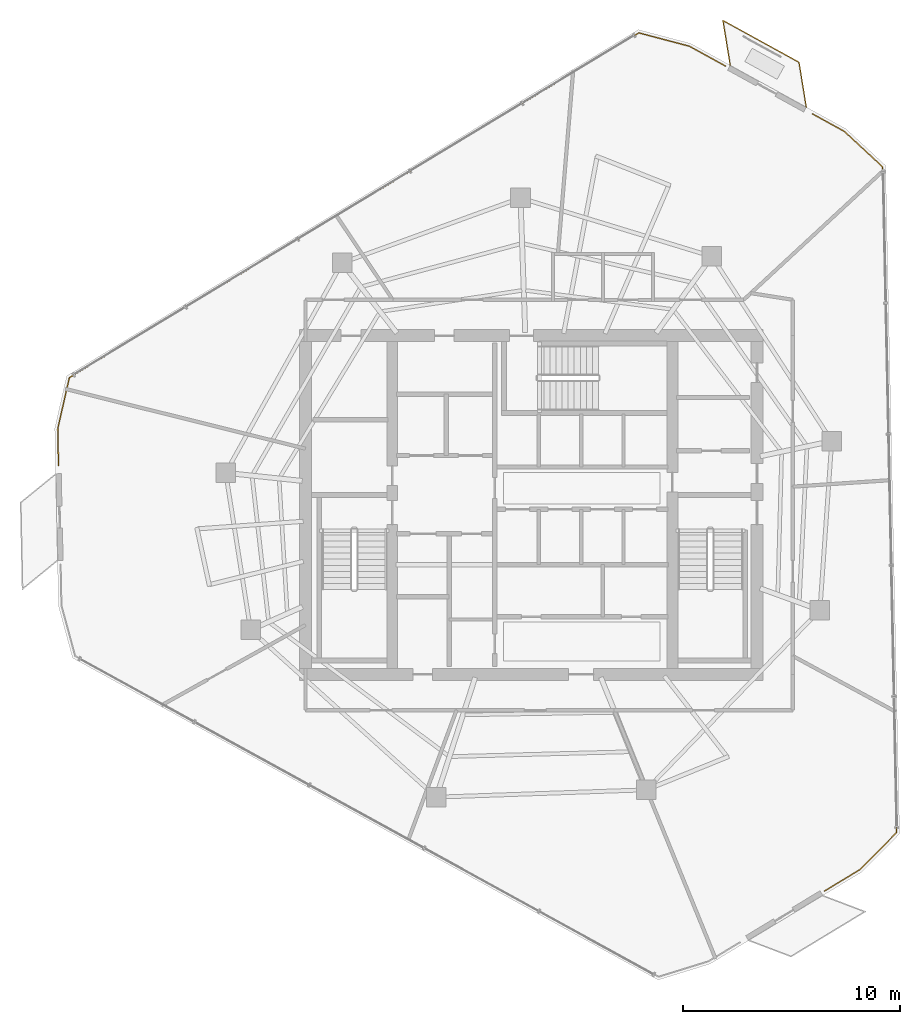
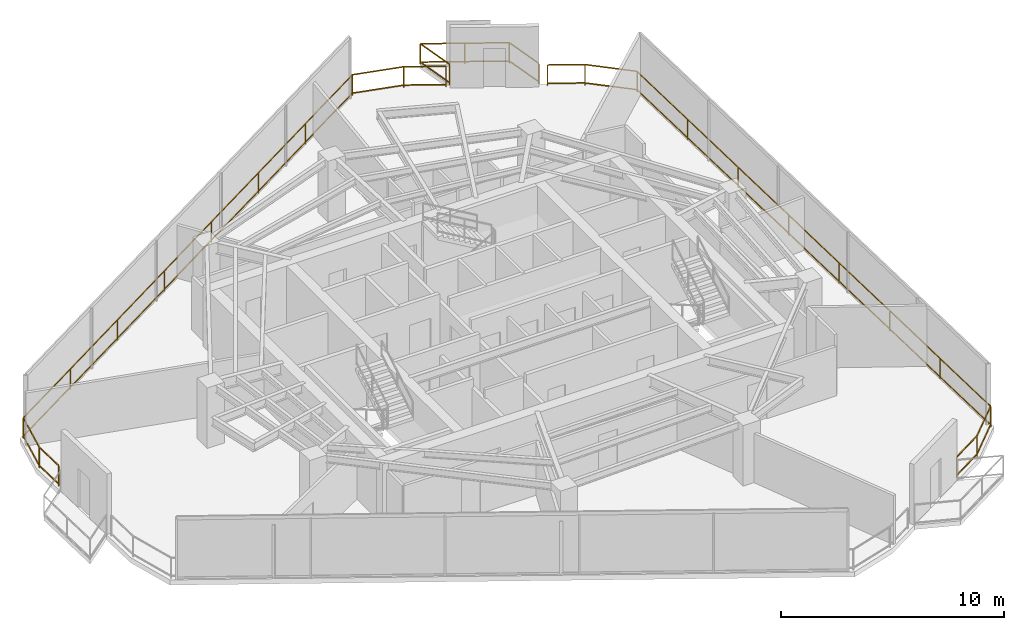
# One storey, part 19 of 19: 4 railings.
"""IFC4 building model written with IfcOpenShell, lengths in metres."""

import ifcopenshell
import ifcopenshell.guid

model = None  # the IFC model being written
_history = None  # IfcOwnerHistory: only IFC2X3 demands one
_inside = {}  # id of a spatial element -> (the spatial element, [elements in it])
_under = {}  # id of a project, library or spatial element -> (it, [spatial elements below it])
_declared = {}  # id of a project -> (the project, [libraries it declares])
_typed = {}  # id of a type object -> (the type object, [elements of that type])
_made_of = {}  # id of a material, layer set ... -> (it, [elements and type objects made of it])


def new_model(schema):
    """Start an empty IFC model of exactly this schema.

    Asked for "IFC4X3", IfcOpenShell would pick the latest addendum, in which some entities
    have other attributes; the version numbers below select the first issue.
    IFC2X3 requires an IfcOwnerHistory on every rooted entity: one is made here for all.
    """
    global model, _history
    if schema == "IFC4X3":
        model = ifcopenshell.file(schema_version=(4, 3, 0, 0))
    else:
        model = ifcopenshell.file(schema=schema)
    _inside.clear()
    _under.clear()
    _declared.clear()
    _typed.clear()
    _made_of.clear()
    _history = None
    if model.schema == "IFC2X3":
        org = make("IfcOrganization", Name="unknown")
        user = make(
            "IfcPersonAndOrganization",
            ThePerson=make("IfcPerson", FamilyName="unknown"),
            TheOrganization=org,
        )
        app = make(
            "IfcApplication",
            ApplicationDeveloper=org,
            Version="unknown",
            ApplicationFullName="unknown",
            ApplicationIdentifier="unknown",
        )
        _history = make(
            "IfcOwnerHistory",
            OwningUser=user,
            OwningApplication=app,
            ChangeAction="ADDED",
            CreationDate=0,
        )
    return model


def make(cls, **values):
    """One entity of the class cls with the attributes given. An attribute that is None is left unset."""
    return model.create_entity(
        cls, **{name: value for name, value in values.items() if value is not None}
    )


def rooted(cls, **values):
    """An entity with a GlobalId (a new one), such as an element, a storey or a relation."""
    return make(cls, GlobalId=ifcopenshell.guid.new(), OwnerHistory=_history, **values)


def si_unit(unit_type, name, prefix=None):
    """IfcSIUnit, for example si_unit("LENGTHUNIT", "METRE", prefix="MILLI")."""
    return make("IfcSIUnit", UnitType=unit_type, Prefix=prefix, Name=name)


def assignment(units):
    """IfcUnitAssignment: the units of a project."""
    return None if units is None else make("IfcUnitAssignment", Units=units)


def point(xyz):
    """IfcCartesianPoint."""
    return None if xyz is None else make("IfcCartesianPoint", Coordinates=xyz)


def direction(xyz):
    """IfcDirection."""
    return None if xyz is None else make("IfcDirection", DirectionRatios=xyz)


def frame(location, z_axis=None, x_axis=None):
    """IfcAxis2Placement3D, a coordinate frame: its origin and axes. An axis left out is left unset."""
    return make(
        "IfcAxis2Placement3D",
        Location=point(location),
        Axis=direction(z_axis),
        RefDirection=direction(x_axis),
    )


def frame_2d(location, x_axis=None):
    """IfcAxis2Placement2D, a coordinate frame in the plane: its origin and x axis."""
    return make(
        "IfcAxis2Placement2D", Location=point(location), RefDirection=direction(x_axis)
    )


def origin():
    """The frame at (0, 0, 0) with its axes left unset."""
    return frame((0.0, 0.0, 0.0))


def origin_2d():
    """The frame at (0, 0) in the plane with its x axis left unset."""
    return frame_2d((0.0, 0.0))


def place(relative_to, where):
    """IfcLocalPlacement: puts the frame where relative to a parent placement (None: the world)."""
    return make(
        "IfcLocalPlacement", PlacementRelTo=relative_to, RelativePlacement=where
    )


def context(
    kind, dimensions, precision=None, world=None, true_north=None, identifier=None
):
    """IfcGeometricRepresentationContext, for example the 3D "Model" context."""
    return make(
        "IfcGeometricRepresentationContext",
        ContextIdentifier=identifier,
        ContextType=kind,
        CoordinateSpaceDimension=dimensions,
        Precision=precision,
        WorldCoordinateSystem=world,
        TrueNorth=true_north,
    )


def subcontext(parent, identifier, kind, view, scale=None):
    """IfcGeometricRepresentationSubContext, for example "Body" below "Model"."""
    return make(
        "IfcGeometricRepresentationSubContext",
        ContextIdentifier=identifier,
        ContextType=kind,
        ParentContext=parent,
        TargetScale=scale,
        TargetView=view,
    )


def project(units=None, contexts=None):
    """IfcProject with its units and contexts."""
    return rooted(
        "IfcProject",
        Name="project",
        RepresentationContexts=contexts,
        UnitsInContext=assignment(units),
    )


def spatial(cls, under=None, at=None, **own):
    """A site, building, storey or space (cls), placed at a placement, below another one or the project."""
    s = rooted(cls, ObjectPlacement=at, **own)
    if under is not None:
        _under.setdefault(under.id(), (under, []))[1].append(s)
    return s


def profile(cls, at=None, kind="AREA", **sizes):
    """A parametric profile (cls). Its sizes go by their IFC names, for example OverallWidth=200.0."""
    return make(cls, ProfileType=kind, Position=at, **sizes)


def rectangle(**sizes):
    """IfcRectangleProfileDef."""
    return profile("IfcRectangleProfileDef", **sizes)


def extrude(swept, where, along, depth):
    """IfcExtrudedAreaSolid: the profile swept, set in the frame where, extruded along a direction by depth."""
    return make(
        "IfcExtrudedAreaSolid",
        SweptArea=swept,
        Position=where,
        ExtrudedDirection=direction(along),
        Depth=depth,
    )


def shape(context_of_items, identifier, shape_type, items):
    """IfcShapeRepresentation: the items that make up one representation, for example the "Body"."""
    return make(
        "IfcShapeRepresentation",
        ContextOfItems=context_of_items,
        RepresentationIdentifier=identifier,
        RepresentationType=shape_type,
        Items=items,
    )


def material(Name=None, Category=None):
    """IfcMaterial."""
    return make("IfcMaterial", Name=Name, Category=Category)


def made_of(thing, what):
    """Note that an element or type object is made of a material, layer set ...; save() writes the relation."""
    if what is not None:
        _made_of.setdefault(what.id(), (what, []))[1].append(thing)
    return thing


def type_object(cls, material=None, **own):
    """A type object (cls), such as IfcWallType, which elements share."""
    return made_of(rooted(cls, **own), material)


def element(
    cls,
    number,
    at=None,
    inside=None,
    cuts=None,
    type_object=None,
    material=None,
    context=None,
    identifier="Body",
    shape_type=None,
    held_by="IfcProductDefinitionShape",
    body=None,
    shapes=None,
    **own,
):
    """One element of the class cls, such as IfcWall. Its Tag is "e" and its number.

    at: its placement. inside: the storey or other place that contains it. cuts: it is an
    opening in that element (IfcRelVoidsElement). A single representation is given by context,
    identifier, shape_type and body (its items); several are given by shapes. held_by: the class
    of the entity that holds the representations. save() writes the other relations.
    """
    e = rooted(cls, Tag="e%d" % number, ObjectPlacement=at, **own)
    if body is not None:
        shapes = [shape(context, identifier, shape_type, body)]
    if shapes is not None:
        e.Representation = make(held_by, Representations=shapes)
    if inside is not None:
        _inside.setdefault(inside.id(), (inside, []))[1].append(e)
    if cuts is not None:
        rooted(
            "IfcRelVoidsElement", RelatingBuildingElement=cuts, RelatedOpeningElement=e
        )
    if type_object is not None:
        _typed.setdefault(type_object.id(), (type_object, []))[1].append(e)
    return made_of(e, material)


def aggregate(whole, parts):
    """IfcRelAggregates: a whole, such as a stair, and the parts it consists of."""
    return rooted("IfcRelAggregates", RelatingObject=whole, RelatedObjects=parts)


def save(model, path):
    """Write the relations noted so far, then the file.

    IfcRelAggregates (storeys below a building ...), IfcRelContainedInSpatialStructure (elements
    in a storey), IfcRelDefinesByType, IfcRelAssociatesMaterial and IfcRelDeclares: one each for
    every whole, place, type object, material and project.
    """
    for whole, parts in _under.values():
        aggregate(whole, parts)
    for where, things in _inside.values():
        rooted(
            "IfcRelContainedInSpatialStructure",
            RelatedElements=things,
            RelatingStructure=where,
        )
    for kind, things in _typed.values():
        rooted("IfcRelDefinesByType", RelatedObjects=things, RelatingType=kind)
    for what, things in _made_of.values():
        rooted("IfcRelAssociatesMaterial", RelatedObjects=things, RelatingMaterial=what)
    for by, libraries in _declared.values():
        rooted("IfcRelDeclares", RelatingContext=by, RelatedDefinitions=libraries)
    model.write(path)


model = new_model("IFC4")

# Units and contexts
model_context = context("Model", 3, precision=1e-05, world=origin(), true_north=direction((0.0, 1.0)))
body_context = subcontext(model_context, "Body", "Model", "MODEL_VIEW")
ifc_project = project(units=[si_unit("LENGTHUNIT", "METRE"), si_unit("AREAUNIT", "SQUARE_METRE"), si_unit("VOLUMEUNIT", "CUBIC_METRE"), si_unit("PLANEANGLEUNIT", "RADIAN"), si_unit("MASSUNIT", "GRAM", prefix="KILO")], contexts=[model_context])

# Site, building, storey
site_placement = place(None, origin())
site = spatial("IfcSite", under=ifc_project, at=site_placement, CompositionType="ELEMENT")
building_placement = place(site_placement, origin())
building = spatial("IfcBuilding", under=site, at=building_placement, Name="Qarnah Convention Tower", CompositionType="ELEMENT")
storey_placement = place(building_placement, frame((0.0, 0.0, 184.199951171875)))
storey = spatial("IfcBuildingStorey", under=building, at=storey_placement, Name="L49", CompositionType="ELEMENT", Elevation=184.199951171875)

# Railings
ifc_material = material(Name="Black anodised aluminium", Category="aluminium")
railing_type = type_object("IfcRailingType", Name="RL-EXT-GUARD-1150", PredefinedType="GUARDRAIL", material=ifc_material)
railing_1_placement = place(storey_placement, frame((44.485107421875, 47.529052734375, 0.0)))
element("IfcRailing", 1, at=railing_1_placement, inside=storey, type_object=railing_type, Name="L49 slab-edge perimeter safety guard 01", PredefinedType="GUARDRAIL", context=body_context, shape_type="SweptSolid", body=[
    extrude(rectangle(XDim=0.048095703125, YDim=0.048095703125, at=origin_2d()), frame((0.0, 0.0, 1.1259765625), z_axis=(0.876327261954, -0.481716233851, 0.0), x_axis=(0.481716233851, 0.876327261954, 0.0)), (0.0, 0.0, 1.0), 1.8974609375),
    extrude(rectangle(XDim=0.048095703125, YDim=0.048095703125, at=origin_2d()), frame((0.0, 0.0, 0.1201171875), z_axis=(0.876327261954, -0.481716233851, 0.0), x_axis=(0.481716233851, 0.876327261954, 0.0)), (0.0, 0.0, 1.0), 1.8974609375),
    extrude(rectangle(XDim=0.0419921875, YDim=0.0419921875, at=origin_2d()), origin(), (0.0, 0.0, 1.0), 1.101806640625),
    extrude(rectangle(XDim=0.0419921875, YDim=0.0419921875, at=origin_2d()), frame((1.662841796875, -0.9140625, 0.0)), (0.0, 0.0, 1.0), 1.101806640625),
])
railing_2_placement = place(storey_placement, frame((50.14208984375, 44.4189453125, 0.0)))
element("IfcRailing", 2, at=railing_2_placement, inside=storey, type_object=railing_type, Name="L49 slab-edge perimeter safety guard 02", PredefinedType="GUARDRAIL", context=body_context, shape_type="SweptSolid", body=[
    extrude(rectangle(XDim=0.048095703125, YDim=0.048095703125, at=origin_2d()), frame((0.0, 0.0, 1.1259765625), z_axis=(0.876441999066, -0.481507447786, 0.0), x_axis=(0.481507447786, 0.876441999066, 0.0)), (0.0, 0.0, 1.0), 1.686279296875),
    extrude(rectangle(XDim=0.048095703125, YDim=0.048095703125, at=origin_2d()), frame((0.0, 0.0, 0.1201171875), z_axis=(0.876441999066, -0.481507447786, 0.0), x_axis=(0.481507447786, 0.876441999066, 0.0)), (0.0, 0.0, 1.0), 1.686279296875),
    extrude(rectangle(XDim=0.048095703125, YDim=0.048095703125, at=origin_2d()), frame((1.47802734375, -0.81201171875, 1.1259765625), z_axis=(0.733771912595, -0.679395893634, 0.0), x_axis=(0.679395893634, 0.733771912595, 0.0)), (0.0, 0.0, 1.0), 2.406494140625),
    extrude(rectangle(XDim=0.048095703125, YDim=0.048095703125, at=origin_2d()), frame((1.47802734375, -0.81201171875, 0.1201171875), z_axis=(0.733771912595, -0.679395893634, 0.0), x_axis=(0.679395893634, 0.733771912595, 0.0)), (0.0, 0.0, 1.0), 2.406494140625),
    extrude(rectangle(XDim=0.048095703125, YDim=0.048095703125, at=origin_2d()), frame((3.243896484375, -2.447021484375, 1.1259765625), z_axis=(0.02093573443, -0.999780823493, 0.0), x_axis=(0.999780823493, 0.02093573443, 0.0)), (0.0, 0.0, 1.0), 30.669677734375),
    extrude(rectangle(XDim=0.048095703125, YDim=0.048095703125, at=origin_2d()), frame((3.243896484375, -2.447021484375, 0.1201171875), z_axis=(0.02093573443, -0.999780823493, 0.0), x_axis=(0.999780823493, 0.02093573443, 0.0)), (0.0, 0.0, 1.0), 30.669677734375),
    extrude(rectangle(XDim=0.048095703125, YDim=0.048095703125, at=origin_2d()), frame((3.885986328125, -33.10986328125, 1.1259765625), z_axis=(-0.704616007254, -0.709588812145, 0.0), x_axis=(0.709588812145, -0.704616007254, 0.0)), (0.0, 0.0, 1.0), 2.40576171875),
    extrude(rectangle(XDim=0.048095703125, YDim=0.048095703125, at=origin_2d()), frame((3.885986328125, -33.10986328125, 0.1201171875), z_axis=(-0.704616007254, -0.709588812145, 0.0), x_axis=(0.709588812145, -0.704616007254, 0.0)), (0.0, 0.0, 1.0), 2.40576171875),
    extrude(rectangle(XDim=0.048095703125, YDim=0.048095703125, at=origin_2d()), frame((2.19091796875, -34.81689453125, 1.1259765625), z_axis=(-0.855455101225, -0.517876983258, 0.0), x_axis=(0.517876983258, -0.855455101225, 0.0)), (0.0, 0.0, 1.0), 1.8984375),
    extrude(rectangle(XDim=0.048095703125, YDim=0.048095703125, at=origin_2d()), frame((2.19091796875, -34.81689453125, 0.1201171875), z_axis=(-0.855455101225, -0.517876983258, 0.0), x_axis=(0.517876983258, -0.855455101225, 0.0)), (0.0, 0.0, 1.0), 1.8984375),
    extrude(rectangle(XDim=0.0419921875, YDim=0.0419921875, at=origin_2d()), origin(), (0.0, 0.0, 1.0), 1.101806640625),
    extrude(rectangle(XDim=0.0419921875, YDim=0.0419921875, at=origin_2d()), frame((1.47802734375, -0.81201171875, 0.0)), (0.0, 0.0, 1.0), 1.101806640625),
    extrude(rectangle(XDim=0.0419921875, YDim=0.0419921875, at=origin_2d()), frame((3.243896484375, -2.447021484375, 0.0)), (0.0, 0.0, 1.0), 1.101806640625),
    extrude(rectangle(XDim=0.0419921875, YDim=0.0419921875, at=origin_2d()), frame((3.335693359375, -6.827392578125, 0.0)), (0.0, 0.0, 1.0), 1.101806640625),
    extrude(rectangle(XDim=0.0419921875, YDim=0.0419921875, at=origin_2d()), frame((3.42724609375, -11.207763671875, 0.0)), (0.0, 0.0, 1.0), 1.101806640625),
    extrude(rectangle(XDim=0.0419921875, YDim=0.0419921875, at=origin_2d()), frame((3.51904296875, -15.588134765625, 0.0)), (0.0, 0.0, 1.0), 1.101806640625),
    extrude(rectangle(XDim=0.0419921875, YDim=0.0419921875, at=origin_2d()), frame((3.61083984375, -19.96875, 0.0)), (0.0, 0.0, 1.0), 1.101806640625),
    extrude(rectangle(XDim=0.0419921875, YDim=0.0419921875, at=origin_2d()), frame((3.70263671875, -24.34912109375, 0.0)), (0.0, 0.0, 1.0), 1.101806640625),
    extrude(rectangle(XDim=0.0419921875, YDim=0.0419921875, at=origin_2d()), frame((3.794189453125, -28.7294921875, 0.0)), (0.0, 0.0, 1.0), 1.101806640625),
    extrude(rectangle(XDim=0.0419921875, YDim=0.0419921875, at=origin_2d()), frame((3.885986328125, -33.10986328125, 0.0)), (0.0, 0.0, 1.0), 1.101806640625),
    extrude(rectangle(XDim=0.0419921875, YDim=0.0419921875, at=origin_2d()), frame((2.19091796875, -34.81689453125, 0.0)), (0.0, 0.0, 1.0), 1.101806640625),
    extrude(rectangle(XDim=0.0419921875, YDim=0.0419921875, at=origin_2d()), frame((0.56689453125, -35.800048828125, 0.0)), (0.0, 0.0, 1.0), 1.101806640625),
])
railing_3_placement = place(storey_placement, frame((15.427978515625, 28.222900390625, 0.0)))
element("IfcRailing", 3, at=railing_3_placement, inside=storey, type_object=railing_type, Name="L49 slab-edge perimeter safety guard 04", PredefinedType="GUARDRAIL", context=body_context, shape_type="SweptSolid", body=[
    extrude(rectangle(XDim=0.048095703125, YDim=0.048095703125, at=origin_2d()), frame((0.0, 0.0, 1.1259765625), z_axis=(-0.021256405321, 0.999774057091, 0.0), x_axis=(-0.999774057091, -0.021256405321, 0.0)), (0.0, 0.0, 1.0), 1.6884765625),
    extrude(rectangle(XDim=0.048095703125, YDim=0.048095703125, at=origin_2d()), frame((0.0, 0.0, 0.1201171875), z_axis=(-0.021256405321, 0.999774057091, 0.0), x_axis=(-0.999774057091, -0.021256405321, 0.0)), (0.0, 0.0, 1.0), 1.6884765625),
    extrude(rectangle(XDim=0.048095703125, YDim=0.048095703125, at=origin_2d()), frame((-0.035888671875, 1.68798828125, 1.1259765625), z_axis=(0.22151584137, 0.975156773048, 0.0), x_axis=(-0.975156773048, 0.22151584137, 0.0)), (0.0, 0.0, 1.0), 2.406005859375),
    extrude(rectangle(XDim=0.048095703125, YDim=0.048095703125, at=origin_2d()), frame((-0.035888671875, 1.68798828125, 0.1201171875), z_axis=(0.22151584137, 0.975156773048, 0.0), x_axis=(-0.975156773048, 0.22151584137, 0.0)), (0.0, 0.0, 1.0), 2.406005859375),
    extrude(rectangle(XDim=0.048095703125, YDim=0.048095703125, at=origin_2d()), frame((0.4970703125, 4.0341796875, 1.1259765625), z_axis=(0.85539055724, 0.517983585246, 0.0), x_axis=(-0.517983585246, 0.85539055724, 0.0)), (0.0, 0.0, 1.0), 30.6689453125),
    extrude(rectangle(XDim=0.048095703125, YDim=0.048095703125, at=origin_2d()), frame((0.4970703125, 4.0341796875, 0.1201171875), z_axis=(0.85539055724, 0.517983585246, 0.0), x_axis=(-0.517983585246, 0.85539055724, 0.0)), (0.0, 0.0, 1.0), 30.6689453125),
    extrude(rectangle(XDim=0.048095703125, YDim=0.048095703125, at=origin_2d()), frame((26.73095703125, 19.920166015625, 1.1259765625), z_axis=(0.966883665918, -0.255217508374, 0.0), x_axis=(0.255217508374, 0.966883665918, 0.0)), (0.0, 0.0, 1.0), 2.40576171875),
    extrude(rectangle(XDim=0.048095703125, YDim=0.048095703125, at=origin_2d()), frame((26.73095703125, 19.920166015625, 0.1201171875), z_axis=(0.966883665918, -0.255217508374, 0.0), x_axis=(0.255217508374, 0.966883665918, 0.0)), (0.0, 0.0, 1.0), 2.40576171875),
    extrude(rectangle(XDim=0.0419921875, YDim=0.0419921875, at=origin_2d()), origin(), (0.0, 0.0, 1.0), 1.101806640625),
    extrude(rectangle(XDim=0.0419921875, YDim=0.0419921875, at=origin_2d()), frame((-0.035888671875, 1.68798828125, 0.0)), (0.0, 0.0, 1.0), 1.101806640625),
    extrude(rectangle(XDim=0.0419921875, YDim=0.0419921875, at=origin_2d()), frame((0.4970703125, 4.0341796875, 0.0)), (0.0, 0.0, 1.0), 1.101806640625),
    extrude(rectangle(XDim=0.0419921875, YDim=0.0419921875, at=origin_2d()), frame((4.244873046875, 6.3037109375, 0.0)), (0.0, 0.0, 1.0), 1.101806640625),
    extrude(rectangle(XDim=0.0419921875, YDim=0.0419921875, at=origin_2d()), frame((7.992431640625, 8.572998046875, 0.0)), (0.0, 0.0, 1.0), 1.101806640625),
    extrude(rectangle(XDim=0.0419921875, YDim=0.0419921875, at=origin_2d()), frame((11.740234375, 10.842529296875, 0.0)), (0.0, 0.0, 1.0), 1.101806640625),
    extrude(rectangle(XDim=0.0419921875, YDim=0.0419921875, at=origin_2d()), frame((15.48779296875, 13.11181640625, 0.0)), (0.0, 0.0, 1.0), 1.101806640625),
    extrude(rectangle(XDim=0.0419921875, YDim=0.0419921875, at=origin_2d()), frame((19.235595703125, 15.38134765625, 0.0)), (0.0, 0.0, 1.0), 1.101806640625),
    extrude(rectangle(XDim=0.0419921875, YDim=0.0419921875, at=origin_2d()), frame((22.983154296875, 17.650634765625, 0.0)), (0.0, 0.0, 1.0), 1.101806640625),
    extrude(rectangle(XDim=0.0419921875, YDim=0.0419921875, at=origin_2d()), frame((26.73095703125, 19.920166015625, 0.0)), (0.0, 0.0, 1.0), 1.101806640625),
    extrude(rectangle(XDim=0.0419921875, YDim=0.0419921875, at=origin_2d()), frame((29.05712890625, 19.30615234375, 0.0)), (0.0, 0.0, 1.0), 1.101806640625),
])
railing_4_placement = place(storey_placement, frame((46.364990234375, 46.64990234375, 0.0)))
element("IfcRailing", 4, at=railing_4_placement, inside=storey, type_object=railing_type, Name="L49 balcony safety guard BAL-L49-C1", PredefinedType="GUARDRAIL", context=body_context, shape_type="SweptSolid", body=[
    extrude(rectangle(XDim=0.048095703125, YDim=0.048095703125, at=origin_2d()), frame((0.0, 0.0, 1.1259765625), z_axis=(-0.160028155702, 0.987112450222, 0.0), x_axis=(-0.987112450222, -0.160028155702, 0.0)), (0.0, 0.0, 1.0), 2.093017578125),
    extrude(rectangle(XDim=0.048095703125, YDim=0.048095703125, at=origin_2d()), frame((0.0, 0.0, 0.1201171875), z_axis=(-0.160028155702, 0.987112450222, 0.0), x_axis=(-0.987112450222, -0.160028155702, 0.0)), (0.0, 0.0, 1.0), 2.093017578125),
    extrude(rectangle(XDim=0.048095703125, YDim=0.048095703125, at=origin_2d()), frame((-0.3349609375, 2.066162109375, 1.1259765625), z_axis=(0.876288068807, -0.481787526267, 0.0), x_axis=(0.481787526267, 0.876288068807, 0.0)), (0.0, 0.0, 1.0), 3.999755859375),
    extrude(rectangle(XDim=0.048095703125, YDim=0.048095703125, at=origin_2d()), frame((-0.3349609375, 2.066162109375, 0.1201171875), z_axis=(0.876288068807, -0.481787526267, 0.0), x_axis=(0.481787526267, 0.876288068807, 0.0)), (0.0, 0.0, 1.0), 3.999755859375),
    extrude(rectangle(XDim=0.048095703125, YDim=0.048095703125, at=origin_2d()), frame((3.169921875, 0.13916015625, 1.1259765625), z_axis=(0.160141804117, -0.987094019116, 0.0), x_axis=(0.987094019116, 0.160141804117, 0.0)), (0.0, 0.0, 1.0), 2.09326171875),
    extrude(rectangle(XDim=0.048095703125, YDim=0.048095703125, at=origin_2d()), frame((3.169921875, 0.13916015625, 0.1201171875), z_axis=(0.160141804117, -0.987094019116, 0.0), x_axis=(0.987094019116, 0.160141804117, 0.0)), (0.0, 0.0, 1.0), 2.09326171875),
    extrude(rectangle(XDim=0.0419921875, YDim=0.0419921875, at=origin_2d()), origin(), (0.0, 0.0, 1.0), 1.101806640625),
    extrude(rectangle(XDim=0.0419921875, YDim=0.0419921875, at=origin_2d()), frame((-0.3349609375, 2.066162109375, 0.0)), (0.0, 0.0, 1.0), 1.101806640625),
    extrude(rectangle(XDim=0.0419921875, YDim=0.0419921875, at=origin_2d()), frame((1.41748046875, 1.1025390625, 0.0)), (0.0, 0.0, 1.0), 1.101806640625),
    extrude(rectangle(XDim=0.0419921875, YDim=0.0419921875, at=origin_2d()), frame((3.169921875, 0.13916015625, 0.0)), (0.0, 0.0, 1.0), 1.101806640625),
    extrude(rectangle(XDim=0.0419921875, YDim=0.0419921875, at=origin_2d()), frame((3.505126953125, -1.927001953125, 0.0)), (0.0, 0.0, 1.0), 1.101806640625),
])

save(model, "model.ifc")
